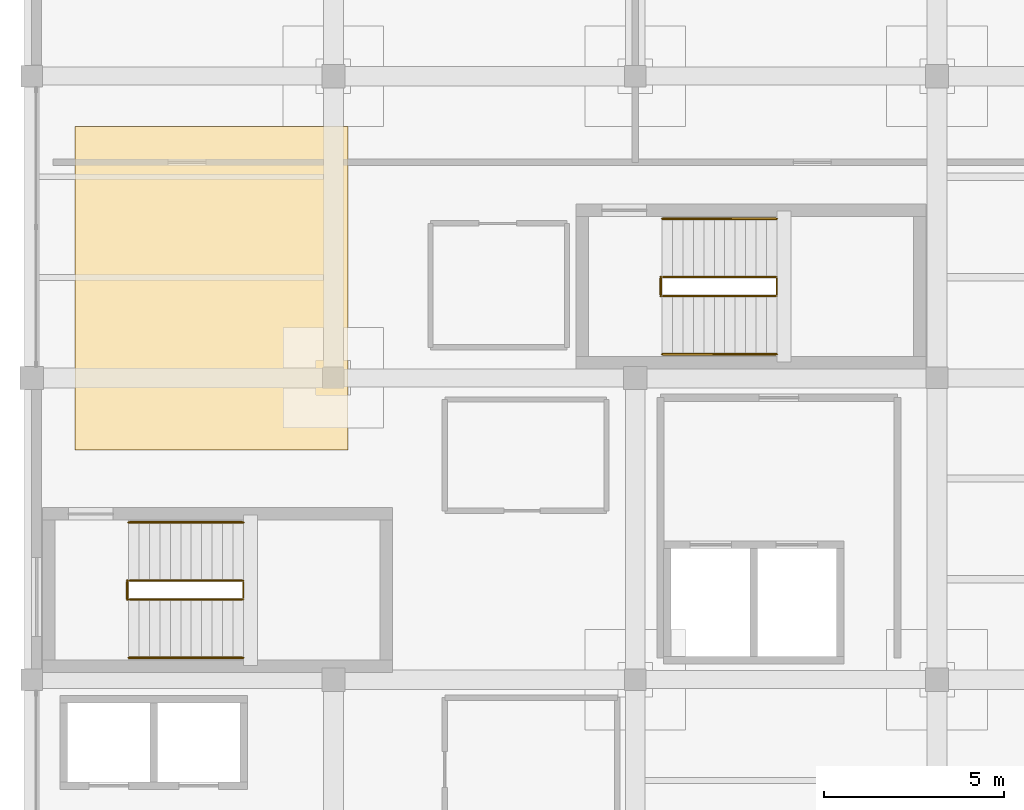
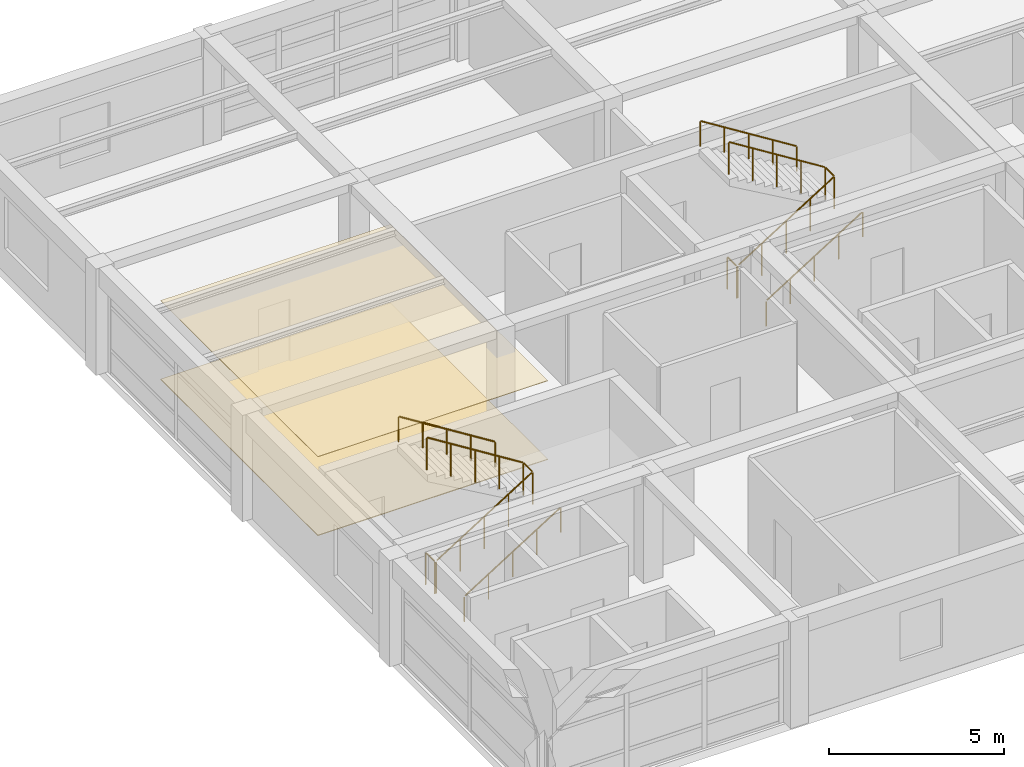
# One storey, part 25 of 25: 8 railings, 2 coverings.
"""IFC4 building model written with IfcOpenShell, lengths in metres."""

from ifc_helpers import new_model, si_unit, direction, frame, origin, origin_2d, place, context, subcontext, project, spatial, polyline, circle, outline, extrude, material, layer, layer_set, type_object, element, save


model = new_model("IFC4")

# Units and contexts
model_context = context("Model", 3, precision=1e-05, world=origin(), true_north=direction((0.0, 1.0)))
body_context = subcontext(model_context, "Body", "Model", "MODEL_VIEW")
ifc_project = project(units=[si_unit("LENGTHUNIT", "METRE"), si_unit("AREAUNIT", "SQUARE_METRE"), si_unit("VOLUMEUNIT", "CUBIC_METRE"), si_unit("PLANEANGLEUNIT", "RADIAN"), si_unit("MASSUNIT", "GRAM", prefix="KILO")], contexts=[model_context])

# Site, building, storey
site_placement = place(None, origin())
site = spatial("IfcSite", under=ifc_project, at=site_placement, CompositionType="ELEMENT")
building_placement = place(site_placement, origin())
building = spatial("IfcBuilding", under=site, at=building_placement, Name="Almacenes y Pasaje Nevantli", CompositionType="ELEMENT")
storey_placement = place(building_placement, frame((0.0, 0.0, 50.699951171875)))
storey = spatial("IfcBuildingStorey", under=building, at=storey_placement, Name="L12", CompositionType="ELEMENT", Elevation=50.699951171875)

# Coverings
ifc_material_1 = material(Name="Perforated Acoustic Mineral Fiber Ceiling", Category="gypsum")
ifc_layer_1 = layer(ifc_material_1, 0.02001953125)
ifc_layer_set_1 = layer_set([ifc_layer_1], Name="Perforated Acoustic Mineral Fiber Ceiling")
covering_type_1 = type_object("IfcCoveringType", Name="COV-CEIL-ACU", PredefinedType="CEILING", material=ifc_layer_set_1)
covering_1_placement = place(storey_placement, frame((0.0, 0.0, 2.75)))
element("IfcCovering", 1, at=covering_1_placement, inside=storey, type_object=covering_type_1, Name="L12 Suspended Acoustic Ceiling Panel", PredefinedType="CEILING", context=body_context, shape_type="SweptSolid", body=[
    extrude(outline(polyline([(118.800048828125, 82.0), (126.39990234375, 82.0), (126.39990234375, 91.0), (118.800048828125, 91.0), (118.800048828125, 82.0)])), origin(), (0.0, 0.0, 1.0), 0.02001953125),
])
ifc_material_2 = material(Name="Polished Toluca Stone Terrazzo Flooring", Category="masonry")
ifc_layer_2 = layer(ifc_material_2, 0.02490234375)
ifc_layer_set_2 = layer_set([ifc_layer_2], Name="Polished Toluca Stone Terrazzo Flooring")
covering_type_2 = type_object("IfcCoveringType", Name="COV-FLR-TERRAZZO", PredefinedType="FLOORING", material=ifc_layer_set_2)
covering_2_placement = place(storey_placement, origin())
element("IfcCovering", 2, at=covering_2_placement, inside=storey, type_object=covering_type_2, Name="L12 Polished Stone Terrazzo Floor Finish", PredefinedType="FLOORING", context=body_context, shape_type="SweptSolid", body=[
    extrude(outline(polyline([(118.800048828125, 82.0), (126.39990234375, 82.0), (126.39990234375, 91.0), (118.800048828125, 91.0), (118.800048828125, 82.0)])), origin(), (0.0, 0.0, 1.0), 0.025146484375),
])

# Railings
ifc_material_3 = material(Name="Brushed Stainless Steel and Tempered Safety Glass", Category="steel")
railing_type_1 = type_object("IfcRailingType", Name="RL-GUARD-1100", PredefinedType="BALUSTRADE", material=ifc_material_3)
railing_1_placement = place(storey_placement, frame((120.300048828125, 77.830078125, 0.0)))
element("IfcRailing", 3, at=railing_1_placement, inside=storey, type_object=railing_type_1, Name="L12 Stair ST-01 Inner Well Guard Balustrade", PredefinedType="BALUSTRADE", context=body_context, shape_type="SweptSolid", body=[
    extrude(circle(Radius=0.02392578125, at=origin_2d()), frame((0.025390625, 0.0, 1.141845703125), z_axis=(0.847247016309, 0.0, 0.531199108955), x_axis=(0.0, 1.0, 0.0)), (0.0, 0.0, 1.0), 3.705078125),
    extrude(circle(Radius=0.02392578125, at=origin_2d()), frame((3.18994140625, 0.030029296875, 3.1259765625), z_axis=(0.0, 1.0, 0.0), x_axis=(-1.0, 0.0, 0.0)), (0.0, 0.0, 1.0), 0.469970703125),
    extrude(circle(Radius=0.02392578125, at=origin_2d()), frame((3.16455078125, 0.530029296875, 3.141845703125), z_axis=(-0.847247016309, 0.0, 0.531199108955), x_axis=(0.0, -1.0, 0.0)), (0.0, 0.0, 1.0), 3.705078125),
    extrude(circle(Radius=0.02099609375, at=origin_2d()), origin(), (0.0, 0.0, 1.0), 1.096923828125),
    extrude(circle(Radius=0.02099609375, at=origin_2d()), frame((0.79736328125, 0.0, 0.5)), (0.0, 0.0, 1.0), 1.096923828125),
    extrude(circle(Radius=0.02099609375, at=origin_2d()), frame((1.594970703125, 0.0, 1.0)), (0.0, 0.0, 1.0), 1.096923828125),
    extrude(circle(Radius=0.02099609375, at=origin_2d()), frame((2.392578125, 0.0, 1.5)), (0.0, 0.0, 1.0), 1.096923828125),
    extrude(circle(Radius=0.02099609375, at=origin_2d()), frame((3.18994140625, 0.0, 2.0)), (0.0, 0.0, 1.0), 1.096923828125),
    extrude(circle(Radius=0.02099609375, at=origin_2d()), frame((3.18994140625, 0.530029296875, 2.0)), (0.0, 0.0, 1.0), 1.096923828125),
    extrude(circle(Radius=0.02099609375, at=origin_2d()), frame((2.392578125, 0.530029296875, 2.5)), (0.0, 0.0, 1.0), 1.096923828125),
    extrude(circle(Radius=0.02099609375, at=origin_2d()), frame((1.594970703125, 0.530029296875, 3.0)), (0.0, 0.0, 1.0), 1.096923828125),
    extrude(circle(Radius=0.02099609375, at=origin_2d()), frame((0.79736328125, 0.530029296875, 3.5)), (0.0, 0.0, 1.0), 1.096923828125),
    extrude(circle(Radius=0.02099609375, at=origin_2d()), frame((0.0, 0.530029296875, 4.0)), (0.0, 0.0, 1.0), 1.096923828125),
])
railing_2_placement = place(storey_placement, frame((120.260009765625, 77.830078125, 0.0)))
element("IfcRailing", 4, at=railing_2_placement, inside=storey, type_object=railing_type_1, Name="L12 Stair ST-01 Landing Well Slot Guard", PredefinedType="BALUSTRADE", context=body_context, shape_type="SweptSolid", body=[
    extrude(circle(Radius=0.02392578125, at=origin_2d()), frame((0.0, 0.030029296875, 1.1259765625), z_axis=(0.0, 1.0, 0.0), x_axis=(-1.0, 0.0, 0.0)), (0.0, 0.0, 1.0), 0.469970703125),
    extrude(circle(Radius=0.02099609375, at=origin_2d()), origin(), (0.0, 0.0, 1.0), 1.096923828125),
    extrude(circle(Radius=0.02099609375, at=origin_2d()), frame((0.0, 0.530029296875, 0.0)), (0.0, 0.0, 1.0), 1.096923828125),
])
railing_3_placement = place(storey_placement, frame((135.14990234375, 86.280029296875, 0.0)))
element("IfcRailing", 5, at=railing_3_placement, inside=storey, type_object=railing_type_1, Name="L12 Stair ST-02 Inner Well Guard Balustrade", PredefinedType="BALUSTRADE", context=body_context, shape_type="SweptSolid", body=[
    extrude(circle(Radius=0.02392578125, at=origin_2d()), frame((0.025390625, 0.0, 1.141845703125), z_axis=(0.847265311894, 0.0, 0.531169926918), x_axis=(0.0, 1.0, 0.0)), (0.0, 0.0, 1.0), 3.705322265625),
    extrude(circle(Radius=0.02392578125, at=origin_2d()), frame((3.190185546875, 0.030029296875, 3.1259765625), z_axis=(0.0, 1.0, 0.0), x_axis=(-1.0, 0.0, 0.0)), (0.0, 0.0, 1.0), 0.469970703125),
    extrude(circle(Radius=0.02392578125, at=origin_2d()), frame((3.164794921875, 0.530029296875, 3.141845703125), z_axis=(-0.847265311894, 0.0, 0.531169926918), x_axis=(0.0, -1.0, 0.0)), (0.0, 0.0, 1.0), 3.705322265625),
    extrude(circle(Radius=0.02099609375, at=origin_2d()), origin(), (0.0, 0.0, 1.0), 1.096923828125),
    extrude(circle(Radius=0.02099609375, at=origin_2d()), frame((0.797607421875, 0.0, 0.5)), (0.0, 0.0, 1.0), 1.096923828125),
    extrude(circle(Radius=0.02099609375, at=origin_2d()), frame((1.59521484375, 0.0, 1.0)), (0.0, 0.0, 1.0), 1.096923828125),
    extrude(circle(Radius=0.02099609375, at=origin_2d()), frame((2.392578125, 0.0, 1.5)), (0.0, 0.0, 1.0), 1.096923828125),
    extrude(circle(Radius=0.02099609375, at=origin_2d()), frame((3.190185546875, 0.0, 2.0)), (0.0, 0.0, 1.0), 1.096923828125),
    extrude(circle(Radius=0.02099609375, at=origin_2d()), frame((3.190185546875, 0.530029296875, 2.0)), (0.0, 0.0, 1.0), 1.096923828125),
    extrude(circle(Radius=0.02099609375, at=origin_2d()), frame((2.392578125, 0.530029296875, 2.5)), (0.0, 0.0, 1.0), 1.096923828125),
    extrude(circle(Radius=0.02099609375, at=origin_2d()), frame((1.59521484375, 0.530029296875, 3.0)), (0.0, 0.0, 1.0), 1.096923828125),
    extrude(circle(Radius=0.02099609375, at=origin_2d()), frame((0.797607421875, 0.530029296875, 3.5)), (0.0, 0.0, 1.0), 1.096923828125),
    extrude(circle(Radius=0.02099609375, at=origin_2d()), frame((0.0, 0.530029296875, 4.0)), (0.0, 0.0, 1.0), 1.096923828125),
])
railing_4_placement = place(storey_placement, frame((135.110107421875, 86.280029296875, 0.0)))
element("IfcRailing", 6, at=railing_4_placement, inside=storey, type_object=railing_type_1, Name="L12 Stair ST-02 Landing Well Slot Guard", PredefinedType="BALUSTRADE", context=body_context, shape_type="SweptSolid", body=[
    extrude(circle(Radius=0.02392578125, at=origin_2d()), frame((0.0, 0.030029296875, 1.1259765625), z_axis=(0.0, 1.0, 0.0), x_axis=(-1.0, 0.0, 0.0)), (0.0, 0.0, 1.0), 0.469970703125),
    extrude(circle(Radius=0.02099609375, at=origin_2d()), origin(), (0.0, 0.0, 1.0), 1.096923828125),
    extrude(circle(Radius=0.02099609375, at=origin_2d()), frame((0.0, 0.530029296875, 0.0)), (0.0, 0.0, 1.0), 1.096923828125),
])
ifc_material_4 = material(Name="Brushed Stainless Steel Tube", Category="steel")
railing_type_2 = type_object("IfcRailingType", Name="RL-HANDRAIL-900", PredefinedType="HANDRAIL", material=ifc_material_4)
railing_5_placement = place(storey_placement, frame((120.300048828125, 76.2099609375, 0.0)))
element("IfcRailing", 7, at=railing_5_placement, inside=storey, type_object=railing_type_2, Name="L12 Stair ST-01 Lower Flight Handrail", PredefinedType="HANDRAIL", context=body_context, shape_type="SweptSolid", body=[
    extrude(circle(Radius=0.02392578125, at=origin_2d()), frame((0.025390625, 0.0, 0.891845703125), z_axis=(0.847247016309, 0.0, 0.531199108955), x_axis=(0.0, 1.0, 0.0)), (0.0, 0.0, 1.0), 3.705078125),
    extrude(circle(Radius=0.02099609375, at=origin_2d()), origin(), (0.0, 0.0, 1.0), 0.846923828125),
    extrude(circle(Radius=0.02099609375, at=origin_2d()), frame((0.79736328125, 0.0, 0.5)), (0.0, 0.0, 1.0), 0.846923828125),
    extrude(circle(Radius=0.02099609375, at=origin_2d()), frame((1.594970703125, 0.0, 1.0)), (0.0, 0.0, 1.0), 0.846923828125),
    extrude(circle(Radius=0.02099609375, at=origin_2d()), frame((2.392578125, 0.0, 1.5)), (0.0, 0.0, 1.0), 0.846923828125),
    extrude(circle(Radius=0.02099609375, at=origin_2d()), frame((3.18994140625, 0.0, 2.0)), (0.0, 0.0, 1.0), 0.846923828125),
])
railing_6_placement = place(storey_placement, frame((123.489990234375, 79.97998046875, 2.0)))
element("IfcRailing", 8, at=railing_6_placement, inside=storey, type_object=railing_type_2, Name="L12 Stair ST-01 Upper Flight Handrail", PredefinedType="HANDRAIL", context=body_context, shape_type="SweptSolid", body=[
    extrude(circle(Radius=0.02392578125, at=origin_2d()), frame((-0.025390625, 0.0, 0.891845703125), z_axis=(-0.847247016309, 0.0, 0.531199108955), x_axis=(0.0, -1.0, 0.0)), (0.0, 0.0, 1.0), 3.705078125),
    extrude(circle(Radius=0.02099609375, at=origin_2d()), origin(), (0.0, 0.0, 1.0), 0.846923828125),
    extrude(circle(Radius=0.02099609375, at=origin_2d()), frame((-0.79736328125, 0.0, 0.5)), (0.0, 0.0, 1.0), 0.846923828125),
    extrude(circle(Radius=0.02099609375, at=origin_2d()), frame((-1.594970703125, 0.0, 1.0)), (0.0, 0.0, 1.0), 0.846923828125),
    extrude(circle(Radius=0.02099609375, at=origin_2d()), frame((-2.392578125, 0.0, 1.5)), (0.0, 0.0, 1.0), 0.846923828125),
    extrude(circle(Radius=0.02099609375, at=origin_2d()), frame((-3.18994140625, 0.0, 2.0)), (0.0, 0.0, 1.0), 0.846923828125),
])
railing_7_placement = place(storey_placement, frame((135.14990234375, 84.659912109375, 0.0)))
element("IfcRailing", 9, at=railing_7_placement, inside=storey, type_object=railing_type_2, Name="L12 Stair ST-02 Lower Flight Handrail", PredefinedType="HANDRAIL", context=body_context, shape_type="SweptSolid", body=[
    extrude(circle(Radius=0.02392578125, at=origin_2d()), frame((0.025390625, 0.0, 0.891845703125), z_axis=(0.847265311894, 0.0, 0.531169926918), x_axis=(0.0, 1.0, 0.0)), (0.0, 0.0, 1.0), 3.705322265625),
    extrude(circle(Radius=0.02099609375, at=origin_2d()), origin(), (0.0, 0.0, 1.0), 0.846923828125),
    extrude(circle(Radius=0.02099609375, at=origin_2d()), frame((0.797607421875, 0.0, 0.5)), (0.0, 0.0, 1.0), 0.846923828125),
    extrude(circle(Radius=0.02099609375, at=origin_2d()), frame((1.59521484375, 0.0, 1.0)), (0.0, 0.0, 1.0), 0.846923828125),
    extrude(circle(Radius=0.02099609375, at=origin_2d()), frame((2.392578125, 0.0, 1.5)), (0.0, 0.0, 1.0), 0.846923828125),
    extrude(circle(Radius=0.02099609375, at=origin_2d()), frame((3.190185546875, 0.0, 2.0)), (0.0, 0.0, 1.0), 0.846923828125),
])
railing_8_placement = place(storey_placement, frame((138.340087890625, 88.429931640625, 2.0)))
element("IfcRailing", 10, at=railing_8_placement, inside=storey, type_object=railing_type_2, Name="L12 Stair ST-02 Upper Flight Handrail", PredefinedType="HANDRAIL", context=body_context, shape_type="SweptSolid", body=[
    extrude(circle(Radius=0.02392578125, at=origin_2d()), frame((-0.025390625, 0.0, 0.891845703125), z_axis=(-0.847265311894, 0.0, 0.531169926918), x_axis=(0.0, -1.0, 0.0)), (0.0, 0.0, 1.0), 3.705322265625),
    extrude(circle(Radius=0.02099609375, at=origin_2d()), origin(), (0.0, 0.0, 1.0), 0.846923828125),
    extrude(circle(Radius=0.02099609375, at=origin_2d()), frame((-0.797607421875, 0.0, 0.5)), (0.0, 0.0, 1.0), 0.846923828125),
    extrude(circle(Radius=0.02099609375, at=origin_2d()), frame((-1.59521484375, 0.0, 1.0)), (0.0, 0.0, 1.0), 0.846923828125),
    extrude(circle(Radius=0.02099609375, at=origin_2d()), frame((-2.392578125, 0.0, 1.5)), (0.0, 0.0, 1.0), 0.846923828125),
    extrude(circle(Radius=0.02099609375, at=origin_2d()), frame((-3.190185546875, 0.0, 2.0)), (0.0, 0.0, 1.0), 0.846923828125),
])

save(model, "model.ifc")
